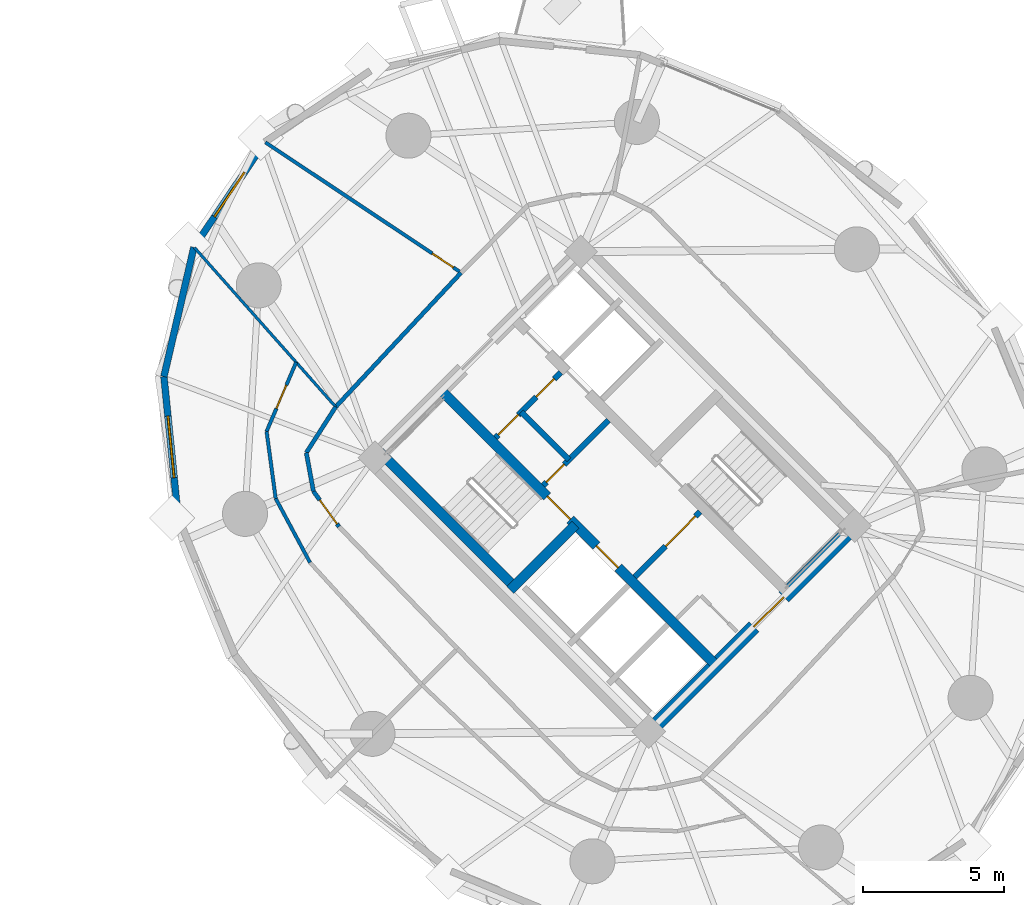
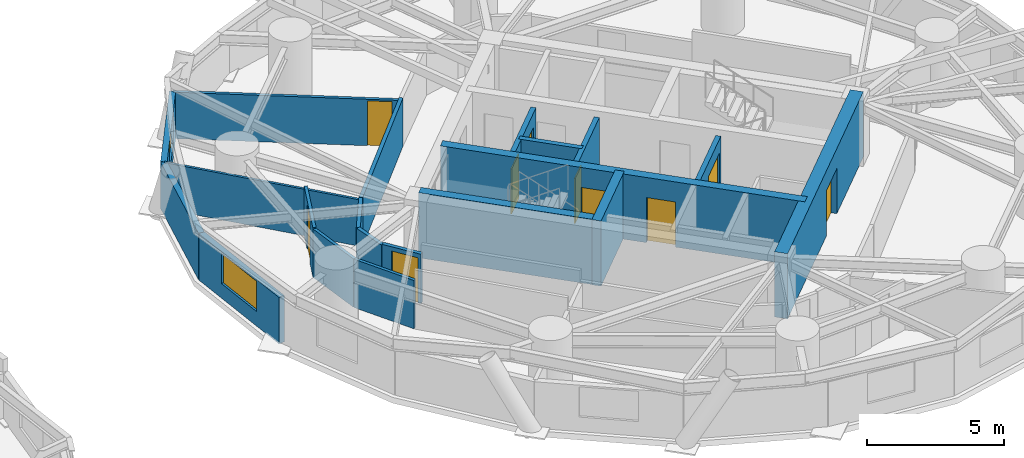
# One storey, part 13 of 18: 20 walls, 10 doors, 2 windows, 12 openings.
"""IFC4 building model written with IfcOpenShell, lengths in metres."""

from ifc_helpers import new_model, si_unit, direction, frame, frame_2d, origin, place, context, subcontext, project, spatial, rectangle, extrude, source, transform, mapped, material, layer, layer_set, type_object, element, fill, save


model = new_model("IFC4")

# Units and contexts
model_context = context("Model", 3, precision=1e-05, world=origin(), true_north=direction((0.0, 1.0)))
body_context = subcontext(model_context, "Body", "Model", "MODEL_VIEW")
ifc_project = project(units=[si_unit("LENGTHUNIT", "METRE"), si_unit("AREAUNIT", "SQUARE_METRE"), si_unit("VOLUMEUNIT", "CUBIC_METRE"), si_unit("PLANEANGLEUNIT", "RADIAN"), si_unit("MASSUNIT", "GRAM", prefix="KILO")], contexts=[model_context])

# Site, building, storey
site_placement = place(None, origin())
site = spatial("IfcSite", under=ifc_project, at=site_placement, CompositionType="ELEMENT")
building_placement = place(site_placement, origin())
building = spatial("IfcBuilding", under=site, at=building_placement, Name="Cununo Teusaquillo Station Towers", CompositionType="ELEMENT")
storey_placement = place(building_placement, frame((0.0, 0.0, 22.0)))
storey = spatial("IfcBuildingStorey", under=building, at=storey_placement, Name="L05", CompositionType="ELEMENT", Elevation=22.0)

# Wall, openings, doors
ifc_material_1 = material(Name="Concrete C50/60", Category="concrete")
ifc_layer_1 = layer(ifc_material_1, 0.35009765625)
ifc_layer_set_1 = layer_set([ifc_layer_1], Name="Concrete C50/60")
wall_type_1 = type_object("IfcWallType", Name="WL-CORE-350", PredefinedType="SHEAR", material=ifc_layer_set_1)
wall_1_placement = place(storey_placement, frame((61.095703125, 18.337646484375, 0.0), z_axis=(0.0, 0.0, 1.0), x_axis=(-0.707106781187, 0.707106781187, 0.0)))
wall_1 = element("IfcWall", 1, at=wall_1_placement, inside=storey, type_object=wall_type_1, Name="L05 Tower B Core Shear Wall IW", PredefinedType="SHEAR", context=body_context, shape_type="SweptSolid", body=[
    extrude(rectangle(XDim=13.800048828125, YDim=0.35009765625, at=frame_2d((6.89990234375, 0.0))), origin(), (0.0, 0.0, 1.0), 2.909912109375),
])
shared_shape_1 = source(origin(), body_context, "Body", "SweptSolid", [
    extrude(rectangle(XDim=1.10009765625, YDim=2.014892578125, at=frame_2d((0.550048828125, 1.00732421875))), frame((0.0, 0.18505859375, 0.0), z_axis=(0.0, -1.0, 0.0), x_axis=(1.0, 0.0, 0.0)), (0.0, 0.0, 1.0), 0.3701171875),
])
opening_1_placement = place(wall_1_placement, frame((4.89990234375, 0.0, 0.0)))
opening_1 = element("IfcOpeningElement", 2, at=opening_1_placement, cuts=wall_1, Name="Opening LD-01", PredefinedType="OPENING", context=body_context, shape_type="MappedRepresentation", body=[
    mapped(shared_shape_1, transform((0.0, 0.0, 0.0), x_axis=(1.0, 0.0, 0.0), y_axis=(0.0, 1.0, 0.0), z_axis=(0.0, 0.0, 1.0), scale=1.0)),
])
shared_shape_2 = source(origin(), body_context, "Body", "SweptSolid", [
    extrude(rectangle(XDim=1.14990234375, YDim=2.02001953125, at=frame_2d((0.574951171875, 1.010009765625))), frame((0.0, 0.18505859375, 0.0), z_axis=(0.0, -1.0, 0.0), x_axis=(1.0, 0.0, 0.0)), (0.0, 0.0, 1.0), 0.3701171875),
])
opening_2_placement = place(wall_1_placement, frame((7.320068359375, 0.0, 0.0)))
opening_2 = element("IfcOpeningElement", 3, at=opening_2_placement, cuts=wall_1, Name="Opening D-ST1", PredefinedType="OPENING", context=body_context, shape_type="MappedRepresentation", body=[
    mapped(shared_shape_2, transform((0.0, 0.0, 0.0), x_axis=(1.0, 0.0, 0.0), y_axis=(0.0, 1.0, 0.0), z_axis=(0.0, 0.0, 1.0), scale=1.0)),
])
ifc_material_2 = material(Name="Galvanised fire-rated hollow steel door assembly", Category="steel")
door_type_1 = type_object("IfcDoorType", Name="DR-LIFT-1100", OperationType="SLIDING_TO_LEFT", PredefinedType="DOOR", material=ifc_material_2)
shared_shape_3 = source(origin(), body_context, "Body", "SweptSolid", [
    extrude(rectangle(XDim=1.10009765625, YDim=2.014892578125, at=frame_2d((0.550048828125, 1.00732421875))), frame((0.0, 0.02490234375, 0.0), z_axis=(0.0, -1.0, 0.0), x_axis=(1.0, 0.0, 0.0)), (0.0, 0.0, 1.0), 0.050048828125),
])
door_1_placement = place(opening_1_placement, origin())
door_1 = element("IfcDoor", 4, at=door_1_placement, inside=storey, type_object=door_type_1, Name="L05 Lift FL-T2 Sliding Landing Door", OperationType="SLIDING_TO_LEFT", OverallHeight=2.014892578125, OverallWidth=1.10009765625, PredefinedType="DOOR", context=body_context, shape_type="MappedRepresentation", body=[
    mapped(shared_shape_3, transform((0.0, 0.0, 0.0), x_axis=(1.0, 0.0, 0.0), y_axis=(0.0, 1.0, 0.0), z_axis=(0.0, 0.0, 1.0), scale=1.0)),
])
fill(opening_1, door_1)
ifc_material_3 = material(Name="Galvanised fire-rated hollow steel door assembly", Category="steel")
door_type_2 = type_object("IfcDoorType", Name="DR-STAIR-1150", OperationType="NOTDEFINED", PredefinedType="DOOR", material=ifc_material_3)
shared_shape_4 = source(origin(), body_context, "Body", "SweptSolid", [
    extrude(rectangle(XDim=1.14990234375, YDim=2.02001953125, at=frame_2d((0.574951171875, 1.010009765625))), frame((0.0, 0.02490234375, 0.0), z_axis=(0.0, -1.0, 0.0), x_axis=(1.0, 0.0, 0.0)), (0.0, 0.0, 1.0), 0.050048828125),
])
door_2_placement = place(opening_2_placement, origin())
door_2 = element("IfcDoor", 5, at=door_2_placement, inside=storey, type_object=door_type_2, Name="L05 Tower B Exit Stair 1 Fire Door", OperationType="SINGLE_SWING_RIGHT", OverallHeight=2.02001953125, OverallWidth=1.14990234375, PredefinedType="DOOR", context=body_context, shape_type="MappedRepresentation", body=[
    mapped(shared_shape_4, transform((0.0, 0.0, 0.0), x_axis=(1.0, 0.0, 0.0), y_axis=(0.0, 1.0, 0.0), z_axis=(0.0, 0.0, 1.0), scale=1.0)),
])
fill(opening_2, door_2)

# Walls
wall_2_placement = place(storey_placement, frame((53.922119140625, 21.14111328125, 0.0), z_axis=(0.0, 0.0, 1.0), x_axis=(-0.707106781187, 0.707106781187, 0.0)))
element("IfcWall", 6, at=wall_2_placement, inside=storey, type_object=wall_type_1, Name="L05 Tower B Core Shear Wall ST1W", PredefinedType="SHEAR", context=body_context, shape_type="SweptSolid", body=[
    extrude(rectangle(XDim=6.7451171875, YDim=0.35009765625, at=frame_2d((3.37255859375, 0.0))), origin(), (0.0, 0.0, 1.0), 2.909912109375),
])
wall_3_placement = place(storey_placement, frame((53.7841796875, 21.00341796875, 0.0), z_axis=(0.0, 0.0, 1.0), x_axis=(0.707106781187, 0.707106781187, 0.0)))
element("IfcWall", 7, at=wall_3_placement, inside=storey, type_object=wall_type_1, Name="L05 Tower B Core Shear Wall ST1S", PredefinedType="SHEAR", context=body_context, shape_type="SweptSolid", body=[
    extrude(rectangle(XDim=3.284912109375, YDim=0.35009765625, at=frame_2d((1.642578125, 0.0))), origin(), (0.0, 0.0, 1.0), 2.909912109375),
])

# Wall, opening, door
ifc_material_4 = material(Name="Concrete C60/75", Category="concrete")
ifc_layer_2 = layer(ifc_material_4, 0.5)
ifc_layer_set_2 = layer_set([ifc_layer_2], Name="Concrete C60/75")
wall_type_2 = type_object("IfcWallType", Name="WL-CORE-500", PredefinedType="SHEAR", material=ifc_layer_set_2)
wall_4_placement = place(storey_placement, frame((58.595947265625, 15.837890625, 0.0), z_axis=(0.0, 0.0, 1.0), x_axis=(0.707106781187, 0.707106781187, 0.0)))
wall_4 = element("IfcWall", 8, at=wall_4_placement, inside=storey, type_object=wall_type_2, Name="L05 Tower B Core Shear Wall S", PredefinedType="SHEAR", context=body_context, shape_type="SweptSolid", body=[
    extrude(rectangle(XDim=10.7001953125, YDim=0.5, at=frame_2d((5.35009765625, 0.0))), origin(), (0.0, 0.0, 1.0), 2.909912109375),
])
shared_shape_5 = source(origin(), body_context, "Body", "SweptSolid", [
    extrude(rectangle(XDim=1.5, YDim=2.02001953125, at=frame_2d((0.75, 1.010009765625))), frame((0.0, 0.260009765625, 0.0), z_axis=(0.0, -1.0, 0.0), x_axis=(1.0, 0.0, 0.0)), (0.0, 0.0, 1.0), 0.52001953125),
])
opening_3_placement = place(wall_4_placement, frame((5.449951171875, 0.0, 0.0)))
opening_3 = element("IfcOpeningElement", 9, at=opening_3_placement, cuts=wall_4, Name="Opening D-LB1", PredefinedType="OPENING", context=body_context, shape_type="MappedRepresentation", body=[
    mapped(shared_shape_5, transform((0.0, 0.0, 0.0), x_axis=(1.0, 0.0, 0.0), y_axis=(0.0, 1.0, 0.0), z_axis=(0.0, 0.0, 1.0), scale=1.0)),
])
ifc_material_5 = material(Name="Galvanised fire-rated hollow steel door assembly", Category="steel")
door_type_3 = type_object("IfcDoorType", Name="DR-LOBBY-1500", OperationType="DOUBLE_DOOR_SINGLE_SWING", PredefinedType="DOOR", material=ifc_material_5)
shared_shape_6 = source(origin(), body_context, "Body", "SweptSolid", [
    extrude(rectangle(XDim=1.5, YDim=2.02001953125, at=frame_2d((0.75, 1.010009765625))), frame((0.0, 0.02490234375, 0.0), z_axis=(0.0, -1.0, 0.0), x_axis=(1.0, 0.0, 0.0)), (0.0, 0.0, 1.0), 0.050048828125),
])
door_3_placement = place(opening_3_placement, origin())
door_3 = element("IfcDoor", 10, at=door_3_placement, inside=storey, type_object=door_type_3, Name="L05 Tower B South Core Lift Lobby Door", OperationType="DOUBLE_DOOR_SINGLE_SWING", OverallHeight=2.02001953125, OverallWidth=1.5, PredefinedType="DOOR", context=body_context, shape_type="MappedRepresentation", body=[
    mapped(shared_shape_6, transform((0.0, 0.0, 0.0), x_axis=(1.0, 0.0, 0.0), y_axis=(0.0, 1.0, 0.0), z_axis=(0.0, 0.0, 1.0), scale=1.0)),
])
fill(opening_3, door_3)

# Wall, opening, window
ifc_material_6 = material(Name="Precast concrete C40/50", Category="concrete")
ifc_layer_3 = layer(ifc_material_6, 0.239990234375)
ifc_layer_set_3 = layer_set([ifc_layer_3], Name="Precast concrete C40/50")
wall_type_3 = type_object("IfcWallType", Name="WL-EXT-240", PredefinedType="SOLIDWALL", material=ifc_layer_set_3)
wall_5_placement = place(storey_placement, frame((42.54833984375, 33.179931640625, 0.0), z_axis=(0.0, 0.0, 1.0), x_axis=(0.559579594012, 0.828776615238, 0.0)))
wall_5 = element("IfcWall", 11, at=wall_5_placement, inside=storey, type_object=wall_type_3, Name="L05 Tower B Exterior Facade Wall C05", PredefinedType="SOLIDWALL", context=body_context, shape_type="SweptSolid", body=[
    extrude(rectangle(XDim=4.517333984375, YDim=0.239990234375, at=frame_2d((2.2587890625, 0.0))), origin(), (0.0, 0.0, 1.0), 2.072998046875),
])
shared_shape_7 = source(origin(), body_context, "Body", "SweptSolid", [
    extrude(rectangle(XDim=1.89990234375, YDim=1.35009765625, at=frame_2d((0.949951171875, 0.675048828125))), frame((0.0, 0.1298828125, 0.0), z_axis=(0.0, -1.0, 0.0), x_axis=(1.0, 0.0, 0.0)), (0.0, 0.0, 1.0), 0.260009765625),
])
opening_4_placement = place(wall_5_placement, frame((1.30908203125, 0.0, 0.64990234375)))
opening_4 = element("IfcOpeningElement", 12, at=opening_4_placement, cuts=wall_5, Name="Opening WN-02", PredefinedType="OPENING", context=body_context, shape_type="MappedRepresentation", body=[
    mapped(shared_shape_7, transform((0.0, 0.0, 0.0), x_axis=(1.0, 0.0, 0.0), y_axis=(0.0, 1.0, 0.0), z_axis=(0.0, 0.0, 1.0), scale=1.0)),
])
ifc_material_7 = material(Name="Operable acoustic tinted low-E double glazing", Category="glass")
window_type_1 = type_object("IfcWindowType", Name="WIN-OPER-1900", PartitioningType="DOUBLE_PANEL_VERTICAL", PredefinedType="WINDOW", material=ifc_material_7)
shared_shape_8 = source(origin(), body_context, "Body", "SweptSolid", [
    extrude(rectangle(XDim=1.89990234375, YDim=1.35009765625, at=frame_2d((0.949951171875, 0.675048828125))), frame((0.0, 0.030029296875, 0.0), z_axis=(0.0, -1.0, 0.0), x_axis=(1.0, 0.0, 0.0)), (0.0, 0.0, 1.0), 0.06005859375),
])
window_1_placement = place(opening_4_placement, origin())
window_1 = element("IfcWindow", 13, at=window_1_placement, inside=storey, type_object=window_type_1, Name="L05 Tower B Facade Window C05", OverallHeight=1.35009765625, OverallWidth=1.89990234375, PartitioningType="DOUBLE_PANEL_VERTICAL", PredefinedType="WINDOW", context=body_context, shape_type="MappedRepresentation", body=[
    mapped(shared_shape_8, transform((0.0, 0.0, 0.0), x_axis=(1.0, 0.0, 0.0), y_axis=(0.0, 1.0, 0.0), z_axis=(0.0, 0.0, 1.0), scale=1.0)),
])
fill(opening_4, window_1)

# Wall
wall_6_placement = place(storey_placement, frame((41.484130859375, 28.58642578125, 0.0), z_axis=(0.0, 0.0, 1.0), x_axis=(0.225698919833, 0.974197104074, 0.0)))
element("IfcWall", 14, at=wall_6_placement, inside=storey, type_object=wall_type_3, Name="L05 Tower B Exterior Facade Wall C06", PredefinedType="SOLIDWALL", context=body_context, shape_type="SweptSolid", body=[
    extrude(rectangle(XDim=4.715087890625, YDim=0.239990234375, at=frame_2d((2.357421875, 0.0))), origin(), (0.0, 0.0, 1.0), 2.072998046875),
])

# Wall, opening, window
wall_7_placement = place(storey_placement, frame((41.98779296875, 23.593017578125, 0.0), z_axis=(0.0, 0.0, 1.0), x_axis=(-0.100356187272, 0.994951574538, 0.0)))
wall_7 = element("IfcWall", 15, at=wall_7_placement, inside=storey, type_object=wall_type_3, Name="L05 Tower B Exterior Facade Wall C07", PredefinedType="SOLIDWALL", context=body_context, shape_type="SweptSolid", body=[
    extrude(rectangle(XDim=5.018798828125, YDim=0.239990234375, at=frame_2d((2.50927734375, 0.0))), origin(), (0.0, 0.0, 1.0), 2.072998046875),
])
shared_shape_9 = source(origin(), body_context, "Body", "SweptSolid", [
    extrude(rectangle(XDim=2.199951171875, YDim=1.35009765625, at=frame_2d((1.10009765625, 0.675048828125))), frame((0.0, 0.1298828125, 0.0), z_axis=(0.0, -1.0, 0.0), x_axis=(1.0, 0.0, 0.0)), (0.0, 0.0, 1.0), 0.260009765625),
])
opening_5_placement = place(wall_7_placement, frame((1.408935546875, 0.0, 0.64990234375)))
opening_5 = element("IfcOpeningElement", 16, at=opening_5_placement, cuts=wall_7, Name="Opening WN-01", PredefinedType="OPENING", context=body_context, shape_type="MappedRepresentation", body=[
    mapped(shared_shape_9, transform((0.0, 0.0, 0.0), x_axis=(1.0, 0.0, 0.0), y_axis=(0.0, 1.0, 0.0), z_axis=(0.0, 0.0, 1.0), scale=1.0)),
])
ifc_material_8 = material(Name="Ceramic-fritted dark low-E double glazing", Category="glass")
window_type_2 = type_object("IfcWindowType", Name="WIN-FRIT-2200", PartitioningType="DOUBLE_PANEL_VERTICAL", PredefinedType="WINDOW", material=ifc_material_8)
shared_shape_10 = source(origin(), body_context, "Body", "SweptSolid", [
    extrude(rectangle(XDim=2.199951171875, YDim=1.35009765625, at=frame_2d((1.10009765625, 0.675048828125))), frame((0.0, 0.030029296875, 0.0), z_axis=(0.0, -1.0, 0.0), x_axis=(1.0, 0.0, 0.0)), (0.0, 0.0, 1.0), 0.06005859375),
])
window_2_placement = place(opening_5_placement, origin())
window_2 = element("IfcWindow", 17, at=window_2_placement, inside=storey, type_object=window_type_2, Name="L05 Tower B Facade Window C07", OverallHeight=1.35009765625, OverallWidth=2.199951171875, PartitioningType="DOUBLE_PANEL_VERTICAL", PredefinedType="WINDOW", context=body_context, shape_type="MappedRepresentation", body=[
    mapped(shared_shape_10, transform((0.0, 0.0, 0.0), x_axis=(1.0, 0.0, 0.0), y_axis=(0.0, 1.0, 0.0), z_axis=(0.0, 0.0, 1.0), scale=1.0)),
])
fill(opening_5, window_2)

# Wall
ifc_material_9 = material(Name="Fire-rated gypsum plasterboard partition assembly", Category="gypsum")
ifc_layer_4 = layer(ifc_material_9, 0.10009765625)
ifc_layer_set_4 = layer_set([ifc_layer_4], Name="Fire-rated gypsum plasterboard partition assembly")
wall_type_4 = type_object("IfcWallType", Name="WL-PART-100", PredefinedType="MOVABLE", material=ifc_layer_set_4)
wall_8_placement = place(storey_placement, frame((47.58837890625, 27.51025390625, 0.0), z_axis=(0.0, 0.0, 1.0), x_axis=(-0.663646630644, 0.74804622159, 0.0)))
element("IfcWall", 18, at=wall_8_placement, inside=storey, type_object=wall_type_4, Name="L05 Tower B Radial Suite Partition R02", PredefinedType="MOVABLE", context=body_context, shape_type="SweptSolid", body=[
    extrude(rectangle(XDim=7.567138671875, YDim=0.10009765625, at=frame_2d((3.78369140625, 0.0))), origin(), (0.0, 0.0, 1.0), 2.072998046875),
])

# Wall, opening, door
ifc_material_10 = material(Name="Fire-rated gypsum plasterboard partition assembly", Category="gypsum")
ifc_layer_5 = layer(ifc_material_10, 0.125)
ifc_layer_set_5 = layer_set([ifc_layer_5], Name="Fire-rated gypsum plasterboard partition assembly")
wall_type_5 = type_object("IfcWallType", Name="WL-PART-125", PredefinedType="PARTITIONING", material=ifc_layer_set_5)
wall_9_placement = place(storey_placement, frame((52.04345703125, 32.27978515625, 0.0), z_axis=(0.0, 0.0, 1.0), x_axis=(-0.832355916658, 0.554241488887, 0.0)))
wall_9 = element("IfcWall", 19, at=wall_9_placement, inside=storey, type_object=wall_type_5, Name="L05 Tower B Simultaneous Interpretation Hall Suite Subdividing Wall", PredefinedType="PARTITIONING", context=body_context, shape_type="SweptSolid", body=[
    extrude(rectangle(XDim=8.353515625, YDim=0.125, at=frame_2d((4.1767578125, 0.0))), origin(), (0.0, 0.0, 1.0), 2.072998046875),
])
shared_shape_11 = source(origin(), body_context, "Body", "SweptSolid", [
    extrude(rectangle(XDim=0.89990234375, YDim=2.0048828125, at=frame_2d((0.449951171875, 1.00244140625))), frame((0.0, 0.072509765625, 0.0), z_axis=(0.0, -1.0, 0.0), x_axis=(1.0, 0.0, 0.0)), (0.0, 0.0, 1.0), 0.14501953125),
])
opening_6_placement = place(wall_9_placement, frame((0.330078125, 0.0, 0.0)))
opening_6 = element("IfcOpeningElement", 20, at=opening_6_placement, cuts=wall_9, Name="Opening D-IN1", PredefinedType="OPENING", context=body_context, shape_type="MappedRepresentation", body=[
    mapped(shared_shape_11, transform((0.0, 0.0, 0.0), x_axis=(1.0, 0.0, 0.0), y_axis=(0.0, 1.0, 0.0), z_axis=(0.0, 0.0, 1.0), scale=1.0)),
])
ifc_material_11 = material(Name="Acoustic solid-core hardwood leaf assembly", Category="wood")
door_type_4 = type_object("IfcDoorType", Name="DR-INT-900", OperationType="NOTDEFINED", PredefinedType="DOOR", material=ifc_material_11)
shared_shape_12 = source(origin(), body_context, "Body", "SweptSolid", [
    extrude(rectangle(XDim=0.89990234375, YDim=2.0048828125, at=frame_2d((0.449951171875, 1.00244140625))), frame((0.0, 0.02490234375, 0.0), z_axis=(0.0, -1.0, 0.0), x_axis=(1.0, 0.0, 0.0)), (0.0, 0.0, 1.0), 0.050048828125),
])
door_4_placement = place(opening_6_placement, origin())
door_4 = element("IfcDoor", 21, at=door_4_placement, inside=storey, type_object=door_type_4, Name="L05 Tower B Simultaneous Interpretation Hall Suite Connecting Door", OperationType="SINGLE_SWING_LEFT", OverallHeight=2.0048828125, OverallWidth=0.89990234375, PredefinedType="DOOR", context=body_context, shape_type="MappedRepresentation", body=[
    mapped(shared_shape_12, transform((0.0, 0.0, 0.0), x_axis=(1.0, 0.0, 0.0), y_axis=(0.0, 1.0, 0.0), z_axis=(0.0, 0.0, 1.0), scale=1.0)),
])
fill(opening_6, door_4)

wall_10_placement = place(storey_placement, frame((46.18212890625, 29.09521484375, 0.0), z_axis=(0.0, 0.0, 1.0), x_axis=(-0.39298176502, -0.919546264394, 0.0)))
wall_10 = element("IfcWall", 22, at=wall_10_placement, inside=storey, type_object=wall_type_5, Name="L05 Tower B Press & Broadcast Briefing Hall Concentric Partition Wall C06", PredefinedType="PARTITIONING", context=body_context, shape_type="SweptSolid", body=[
    extrude(rectangle(XDim=2.672119140625, YDim=0.125, at=frame_2d((1.3359375, 0.0))), origin(), (0.0, 0.0, 1.0), 2.205078125),
])
opening_7_placement = place(wall_10_placement, frame((0.885986328125, 0.0, 0.0)))
opening_7 = element("IfcOpeningElement", 23, at=opening_7_placement, cuts=wall_10, Name="Opening D-IN1", PredefinedType="OPENING", context=body_context, shape_type="MappedRepresentation", body=[
    mapped(shared_shape_11, transform((0.0, 0.0, 0.0), x_axis=(1.0, 0.0, 0.0), y_axis=(0.0, 1.0, 0.0), z_axis=(0.0, 0.0, 1.0), scale=1.0)),
])
door_5_placement = place(opening_7_placement, origin())
door_5 = element("IfcDoor", 24, at=door_5_placement, inside=storey, type_object=door_type_4, Name="L05 Tower B Press & Broadcast Briefing Hall Connecting Door", OperationType="SINGLE_SWING_LEFT", OverallHeight=2.0048828125, OverallWidth=0.89990234375, PredefinedType="DOOR", context=body_context, shape_type="MappedRepresentation", body=[
    mapped(shared_shape_12, transform((0.0, 0.0, 0.0), x_axis=(1.0, 0.0, 0.0), y_axis=(0.0, 1.0, 0.0), z_axis=(0.0, 0.0, 1.0), scale=1.0)),
])
fill(opening_7, door_5)

# Walls
wall_11_placement = place(storey_placement, frame((45.132080078125, 26.63818359375, 0.0), z_axis=(0.0, 0.0, 1.0), x_axis=(0.134279147929, -0.990943545532, 0.0)))
element("IfcWall", 25, at=wall_11_placement, inside=storey, type_object=wall_type_5, Name="L05 Tower B Press & Broadcast Briefing Hall Concentric Partition Wall C07", PredefinedType="PARTITIONING", context=body_context, shape_type="SweptSolid", body=[
    extrude(rectangle(XDim=2.403564453125, YDim=0.125, at=frame_2d((1.20166015625, 0.0))), origin(), (0.0, 0.0, 1.0), 2.158935546875),
])
wall_12_placement = place(storey_placement, frame((45.454833984375, 24.25634765625, 0.0), z_axis=(0.0, 0.0, 1.0), x_axis=(0.472268582458, -0.881454698792, 0.0)))
element("IfcWall", 26, at=wall_12_placement, inside=storey, type_object=wall_type_5, Name="L05 Tower B Press & Broadcast Briefing Hall Concentric Partition Wall C08", PredefinedType="PARTITIONING", context=body_context, shape_type="SweptSolid", body=[
    extrude(rectangle(XDim=2.585205078125, YDim=0.125, at=frame_2d((1.29248046875, 0.0))), origin(), (0.0, 0.0, 1.0), 2.158935546875),
])
ifc_material_12 = material(Name="Fire-rated gypsum plasterboard partition assembly", Category="gypsum")
ifc_layer_6 = layer(ifc_material_12, 0.14990234375)
ifc_layer_set_6 = layer_set([ifc_layer_6], Name="Fire-rated gypsum plasterboard partition assembly")
wall_type_6 = type_object("IfcWallType", Name="WL-PART-150", PredefinedType="PARTITIONING", material=ifc_layer_set_6)
wall_13_placement = place(storey_placement, frame((52.04345703125, 32.27978515625, 0.0), z_axis=(0.0, 0.0, 1.0), x_axis=(-0.682606081633, -0.730786519661, 0.0)))
element("IfcWall", 27, at=wall_13_placement, inside=storey, type_object=wall_type_6, Name="L05 Tower B Corridor Ring Wall C05", PredefinedType="PARTITIONING", context=body_context, shape_type="SweptSolid", body=[
    extrude(rectangle(XDim=6.526611328125, YDim=0.14990234375, at=frame_2d((3.26318359375, 0.0))), origin(), (0.0, 0.0, 1.0), 2.158935546875),
])
wall_14_placement = place(storey_placement, frame((47.58837890625, 27.51025390625, 0.0), z_axis=(0.0, 0.0, 1.0), x_axis=(-0.540202619347, -0.841534984449, 0.0)))
element("IfcWall", 28, at=wall_14_placement, inside=storey, type_object=wall_type_6, Name="L05 Tower B Corridor Ring Wall C06", PredefinedType="PARTITIONING", context=body_context, shape_type="SweptSolid", body=[
    extrude(rectangle(XDim=1.934814453125, YDim=0.14990234375, at=frame_2d((0.96728515625, 0.0))), origin(), (0.0, 0.0, 1.0), 2.158935546875),
])
wall_15_placement = place(storey_placement, frame((46.543212890625, 25.882080078125, 0.0), z_axis=(0.0, 0.0, 1.0), x_axis=(0.181153502579, -0.983454832976, 0.0)))
element("IfcWall", 29, at=wall_15_placement, inside=storey, type_object=wall_type_6, Name="L05 Tower B Corridor Ring Wall C07", PredefinedType="PARTITIONING", context=body_context, shape_type="SweptSolid", body=[
    extrude(rectangle(XDim=1.39208984375, YDim=0.14990234375, at=frame_2d((0.696044921875, 0.0))), origin(), (0.0, 0.0, 1.0), 2.158935546875),
])

# Wall, opening, door
wall_16_placement = place(storey_placement, frame((46.79541015625, 24.512939453125, 0.0), z_axis=(0.0, 0.0, 1.0), x_axis=(0.585628197524, -0.810579801294, 0.0)))
wall_16 = element("IfcWall", 30, at=wall_16_placement, inside=storey, type_object=wall_type_6, Name="L05 Tower B Corridor Ring Wall C08", PredefinedType="PARTITIONING", context=body_context, shape_type="SweptSolid", body=[
    extrude(rectangle(XDim=1.55419921875, YDim=0.14990234375, at=frame_2d((0.777099609375, 0.0))), origin(), (0.0, 0.0, 1.0), 2.205078125),
])
shared_shape_13 = source(origin(), body_context, "Body", "SweptSolid", [
    extrude(rectangle(XDim=1.050048828125, YDim=2.014892578125, at=frame_2d((0.52490234375, 1.00732421875))), frame((0.0, 0.0849609375, 0.0), z_axis=(0.0, -1.0, 0.0), x_axis=(1.0, 0.0, 0.0)), (0.0, 0.0, 1.0), 0.169921875),
])
opening_8_placement = place(wall_16_placement, frame((0.384033203125, 0.0, 0.0)))
opening_8 = element("IfcOpeningElement", 31, at=opening_8_placement, cuts=wall_16, Name="Opening D-SU1", PredefinedType="OPENING", context=body_context, shape_type="MappedRepresentation", body=[
    mapped(shared_shape_13, transform((0.0, 0.0, 0.0), x_axis=(1.0, 0.0, 0.0), y_axis=(0.0, 1.0, 0.0), z_axis=(0.0, 0.0, 1.0), scale=1.0)),
])
ifc_material_13 = material(Name="Acoustic solid-core hardwood leaf assembly", Category="wood")
door_type_5 = type_object("IfcDoorType", Name="DR-SUITE-1050", OperationType="NOTDEFINED", PredefinedType="DOOR", material=ifc_material_13)
shared_shape_14 = source(origin(), body_context, "Body", "SweptSolid", [
    extrude(rectangle(XDim=1.050048828125, YDim=2.014892578125, at=frame_2d((0.52490234375, 1.00732421875))), frame((0.0, 0.02490234375, 0.0), z_axis=(0.0, -1.0, 0.0), x_axis=(1.0, 0.0, 0.0)), (0.0, 0.0, 1.0), 0.050048828125),
])
door_6_placement = place(opening_8_placement, origin())
door_6 = element("IfcDoor", 32, at=door_6_placement, inside=storey, type_object=door_type_5, Name="L05 Tower B Press & Broadcast Briefing Hall Entrance Door", OperationType="SINGLE_SWING_RIGHT", OverallHeight=2.014892578125, OverallWidth=1.050048828125, PredefinedType="DOOR", context=body_context, shape_type="MappedRepresentation", body=[
    mapped(shared_shape_14, transform((0.0, 0.0, 0.0), x_axis=(1.0, 0.0, 0.0), y_axis=(0.0, 1.0, 0.0), z_axis=(0.0, 0.0, 1.0), scale=1.0)),
])
fill(opening_8, door_6)

ifc_material_14 = material(Name="Fire-rated gypsum plasterboard partition assembly", Category="gypsum")
ifc_layer_7 = layer(ifc_material_14, 0.199951171875)
ifc_layer_set_7 = layer_set([ifc_layer_7], Name="Fire-rated gypsum plasterboard partition assembly")
wall_type_7 = type_object("IfcWallType", Name="WL-PART-200", PredefinedType="PARTITIONING", material=ifc_layer_set_7)
wall_17_placement = place(storey_placement, frame((58.214111328125, 21.466552734375, 0.0), z_axis=(0.0, 0.0, 1.0), x_axis=(0.707106781187, 0.707106781187, 0.0)))
wall_17 = element("IfcWall", 33, at=wall_17_placement, inside=storey, type_object=wall_type_7, Name="L05 Tower B Firefighting Lift Lobby South Fire Wall", PredefinedType="PARTITIONING", context=body_context, shape_type="SweptSolid", body=[
    extrude(rectangle(XDim=3.280029296875, YDim=0.199951171875, at=frame_2d((1.64013671875, 0.0))), origin(), (0.0, 0.0, 1.0), 2.635009765625),
])
shared_shape_15 = source(origin(), body_context, "Body", "SweptSolid", [
    extrude(rectangle(XDim=1.5, YDim=2.02001953125, at=frame_2d((0.75, 1.010009765625))), frame((0.0, 0.10986328125, 0.0), z_axis=(0.0, -1.0, 0.0), x_axis=(1.0, 0.0, 0.0)), (0.0, 0.0, 1.0), 0.219970703125),
])
opening_9_placement = place(wall_17_placement, frame((1.550048828125, 0.0, 0.0)))
opening_9 = element("IfcOpeningElement", 34, at=opening_9_placement, cuts=wall_17, Name="Opening D-LB1", PredefinedType="OPENING", context=body_context, shape_type="MappedRepresentation", body=[
    mapped(shared_shape_15, transform((0.0, 0.0, 0.0), x_axis=(1.0, 0.0, 0.0), y_axis=(0.0, 1.0, 0.0), z_axis=(0.0, 0.0, 1.0), scale=1.0)),
])
door_7_placement = place(opening_9_placement, origin())
door_7 = element("IfcDoor", 35, at=door_7_placement, inside=storey, type_object=door_type_3, Name="L05 Tower B Firefighting Lift Lobby South Fire Door", OperationType="DOUBLE_DOOR_SINGLE_SWING", OverallHeight=2.02001953125, OverallWidth=1.5, PredefinedType="DOOR", context=body_context, shape_type="MappedRepresentation", body=[
    mapped(shared_shape_6, transform((0.0, 0.0, 0.0), x_axis=(1.0, 0.0, 0.0), y_axis=(0.0, 1.0, 0.0), z_axis=(0.0, 0.0, 1.0), scale=1.0)),
])
fill(opening_9, door_7)

wall_18_placement = place(storey_placement, frame((54.96142578125, 24.71923828125, 0.0), z_axis=(0.0, 0.0, 1.0), x_axis=(0.707106781187, 0.707106781187, 0.0)))
wall_18 = element("IfcWall", 36, at=wall_18_placement, inside=storey, type_object=wall_type_7, Name="L05 Tower B Firefighting Lift Lobby North Fire Wall", PredefinedType="PARTITIONING", context=body_context, shape_type="SweptSolid", body=[
    extrude(rectangle(XDim=3.280029296875, YDim=0.199951171875, at=frame_2d((1.64013671875, 0.0))), origin(), (0.0, 0.0, 1.0), 2.635009765625),
])
shared_shape_16 = source(origin(), body_context, "Body", "SweptSolid", [
    extrude(rectangle(XDim=0.89990234375, YDim=2.0048828125, at=frame_2d((0.449951171875, 1.00244140625))), frame((0.0, 0.10986328125, 0.0), z_axis=(0.0, -1.0, 0.0), x_axis=(1.0, 0.0, 0.0)), (0.0, 0.0, 1.0), 0.219970703125),
])
opening_10_placement = place(wall_18_placement, frame((0.159912109375, 0.0, 0.0)))
opening_10 = element("IfcOpeningElement", 37, at=opening_10_placement, cuts=wall_18, Name="Opening D-SR1", PredefinedType="OPENING", context=body_context, shape_type="MappedRepresentation", body=[
    mapped(shared_shape_16, transform((0.0, 0.0, 0.0), x_axis=(1.0, 0.0, 0.0), y_axis=(0.0, 1.0, 0.0), z_axis=(0.0, 0.0, 1.0), scale=1.0)),
])
ifc_material_15 = material(Name="Galvanised fire-rated hollow steel door assembly", Category="steel")
door_type_6 = type_object("IfcDoorType", Name="DR-STORE-900", OperationType="NOTDEFINED", PredefinedType="DOOR", material=ifc_material_15)
door_8_placement = place(opening_10_placement, origin())
door_8 = element("IfcDoor", 38, at=door_8_placement, inside=storey, type_object=door_type_6, Name="L05 Tower B Stair 1 Protected Vestibule South Door", OperationType="SINGLE_SWING_RIGHT", OverallHeight=2.0048828125, OverallWidth=0.89990234375, PredefinedType="DOOR", context=body_context, shape_type="MappedRepresentation", body=[
    mapped(shared_shape_12, transform((0.0, 0.0, 0.0), x_axis=(1.0, 0.0, 0.0), y_axis=(0.0, 1.0, 0.0), z_axis=(0.0, 0.0, 1.0), scale=1.0)),
])
fill(opening_10, door_8)

# Wall
wall_19_placement = place(storey_placement, frame((55.873779296875, 25.63134765625, 0.0), z_axis=(0.0, 0.0, 1.0), x_axis=(-0.707157639372, 0.707055919343, 0.0)))
element("IfcWall", 39, at=wall_19_placement, inside=storey, type_object=wall_type_7, Name="L05 Tower B Stair 1 Vestibule Partition Wall", PredefinedType="PARTITIONING", context=body_context, shape_type="SweptSolid", body=[
    extrude(rectangle(XDim=2.400146484375, YDim=0.199951171875, at=frame_2d((1.2001953125, 0.0))), origin(), (0.0, 0.0, 1.0), 2.635009765625),
])

# Wall, openings, doors
wall_20_placement = place(storey_placement, frame((53.264404296875, 26.416259765625, 0.0), z_axis=(0.0, 0.0, 1.0), x_axis=(0.707106781187, 0.707106781187, 0.0)))
wall_20 = element("IfcWall", 40, at=wall_20_placement, inside=storey, type_object=wall_type_7, Name="L05 Tower B North Lift Lobby South Fire Wall", PredefinedType="PARTITIONING", context=body_context, shape_type="SweptSolid", body=[
    extrude(rectangle(XDim=3.280029296875, YDim=0.199951171875, at=frame_2d((1.64013671875, 0.0))), origin(), (0.0, 0.0, 1.0), 2.635009765625),
])
shared_shape_17 = source(origin(), body_context, "Body", "SweptSolid", [
    extrude(rectangle(XDim=1.0, YDim=2.014892578125, at=frame_2d((0.5, 1.00732421875))), frame((0.0, 0.10986328125, 0.0), z_axis=(0.0, -1.0, 0.0), x_axis=(1.0, 0.0, 0.0)), (0.0, 0.0, 1.0), 0.219970703125),
])
opening_11_placement = place(wall_20_placement, frame((0.139892578125, 0.0, 0.0)))
opening_11 = element("IfcOpeningElement", 41, at=opening_11_placement, cuts=wall_20, Name="Opening D-AC1", PredefinedType="OPENING", context=body_context, shape_type="MappedRepresentation", body=[
    mapped(shared_shape_17, transform((0.0, 0.0, 0.0), x_axis=(1.0, 0.0, 0.0), y_axis=(0.0, 1.0, 0.0), z_axis=(0.0, 0.0, 1.0), scale=1.0)),
])
opening_12_placement = place(wall_20_placement, frame((2.050048828125, 0.0, 0.0)))
opening_12 = element("IfcOpeningElement", 42, at=opening_12_placement, cuts=wall_20, Name="Opening D-SR1", PredefinedType="OPENING", context=body_context, shape_type="MappedRepresentation", body=[
    mapped(shared_shape_16, transform((0.0, 0.0, 0.0), x_axis=(1.0, 0.0, 0.0), y_axis=(0.0, 1.0, 0.0), z_axis=(0.0, 0.0, 1.0), scale=1.0)),
])
door_9_placement = place(opening_12_placement, origin())
door_9 = element("IfcDoor", 43, at=door_9_placement, inside=storey, type_object=door_type_6, Name="L05 Tower B Core Housekeeping & Linen Store Door", OperationType="SINGLE_SWING_LEFT", OverallHeight=2.0048828125, OverallWidth=0.89990234375, PredefinedType="DOOR", context=body_context, shape_type="MappedRepresentation", body=[
    mapped(shared_shape_12, transform((0.0, 0.0, 0.0), x_axis=(1.0, 0.0, 0.0), y_axis=(0.0, 1.0, 0.0), z_axis=(0.0, 0.0, 1.0), scale=1.0)),
])
fill(opening_12, door_9)
ifc_material_16 = material(Name="Acoustic solid-core hardwood leaf assembly", Category="wood")
door_type_7 = type_object("IfcDoorType", Name="DR-ACC-1000", OperationType="NOTDEFINED", PredefinedType="DOOR", material=ifc_material_16)
shared_shape_18 = source(origin(), body_context, "Body", "SweptSolid", [
    extrude(rectangle(XDim=1.0, YDim=2.014892578125, at=frame_2d((0.5, 1.00732421875))), frame((0.0, 0.02490234375, 0.0), z_axis=(0.0, -1.0, 0.0), x_axis=(1.0, 0.0, 0.0)), (0.0, 0.0, 1.0), 0.050048828125),
])
door_10_placement = place(opening_11_placement, origin())
door_10 = element("IfcDoor", 44, at=door_10_placement, inside=storey, type_object=door_type_7, Name="L05 Tower B North Lift Lobby to Stair 1 Vestibule Door", OperationType="SINGLE_SWING_LEFT", OverallHeight=2.014892578125, OverallWidth=1.0, PredefinedType="DOOR", context=body_context, shape_type="MappedRepresentation", body=[
    mapped(shared_shape_18, transform((0.0, 0.0, 0.0), x_axis=(1.0, 0.0, 0.0), y_axis=(0.0, 1.0, 0.0), z_axis=(0.0, 0.0, 1.0), scale=1.0)),
])
fill(opening_11, door_10)

save(model, "model.ifc")
